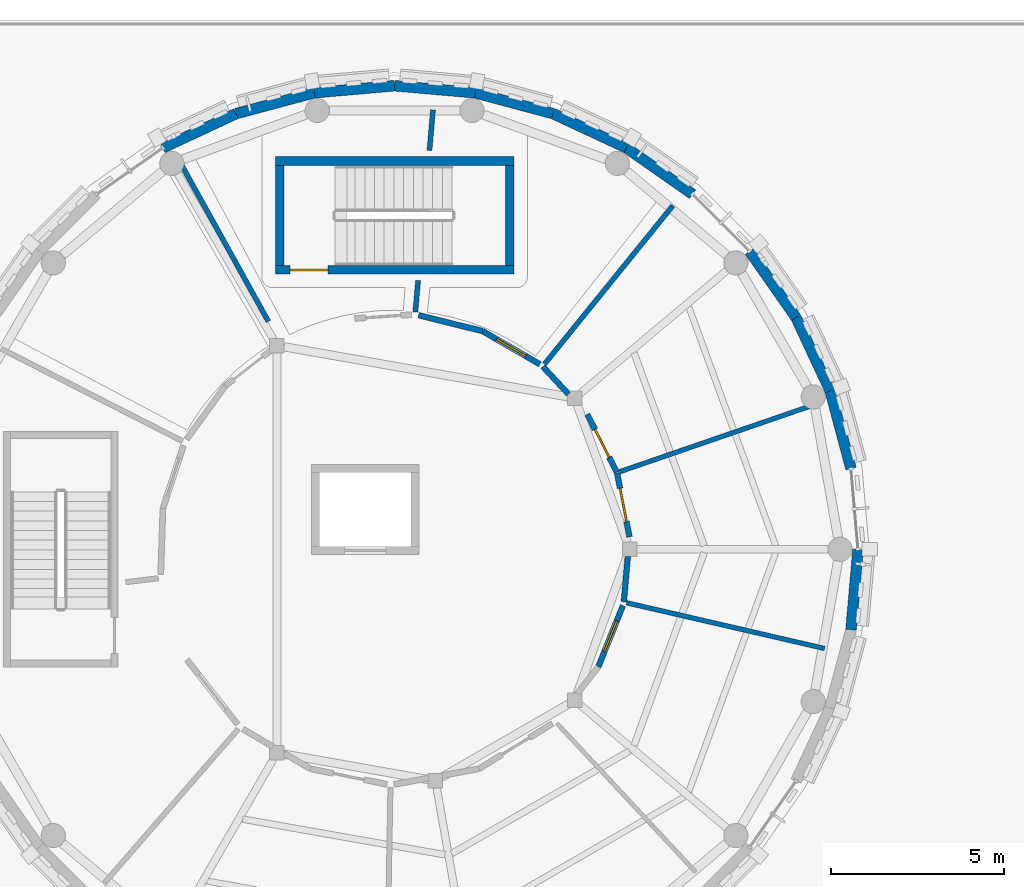
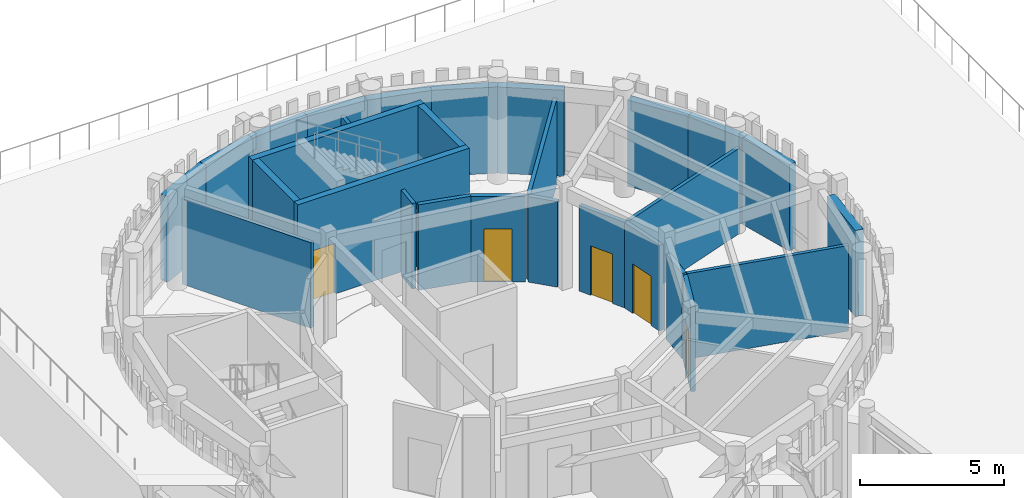
# One storey, part 52 of 94: 28 walls, 5 doors, 5 openings.
"""IFC4 building model written with IfcOpenShell, lengths in metres."""

from ifc_helpers import new_model, si_unit, direction, frame, frame_2d, origin, place, context, subcontext, project, spatial, rectangle, extrude, material, layer, layer_set, type_object, element, fill, save


model = new_model("IFC4")

# Units and contexts
model_context = context("Model", 3, precision=1e-05, world=origin(), true_north=direction((0.0, 1.0)))
body_context = subcontext(model_context, "Body", "Model", "MODEL_VIEW")
ifc_project = project(units=[si_unit("LENGTHUNIT", "METRE"), si_unit("AREAUNIT", "SQUARE_METRE"), si_unit("VOLUMEUNIT", "CUBIC_METRE"), si_unit("PLANEANGLEUNIT", "RADIAN"), si_unit("MASSUNIT", "GRAM", prefix="KILO")], contexts=[model_context])

# Site, building, storey
site_placement = place(None, origin())
site = spatial("IfcSite", under=ifc_project, at=site_placement, CompositionType="ELEMENT")
building_placement = place(site_placement, origin())
building = spatial("IfcBuilding", under=site, at=building_placement, Name="Aldenvaro Health Centre", CompositionType="ELEMENT")
storey_placement = place(building_placement, origin())
storey = spatial("IfcBuildingStorey", under=building, at=storey_placement, Name="L00", CompositionType="ELEMENT", Elevation=0.0)

# Walls
ifc_material_1 = material(Name="Gypsum Stud Acoustic Assembly")
ifc_layer_1 = layer(ifc_material_1, 0.14501953125, Name="Gypsum Stud Acoustic Assembly")
ifc_layer_set_1 = layer_set([ifc_layer_1], Name="Gypsum Stud Acoustic Assembly")
wall_type_1 = type_object("IfcWallType", Name="WL-CLN-145", PredefinedType="PARTITIONING", material=ifc_layer_set_1)
wall_1_placement = place(storey_placement, frame((22.83203125, 104.84912109375, 0.0), z_axis=(0.0, 0.0, 1.0), x_axis=(0.629307766645, 0.777156184328, 0.0)))
element("IfcWall", 1, at=wall_1_placement, inside=storey, type_object=wall_type_1, Name="D4 L00 clinical partition 1.1", PredefinedType="PARTITIONING", context=body_context, shape_type="SweptSolid", body=[
    extrude(rectangle(XDim=5.8984375, YDim=0.14501953125, at=frame_2d((2.94921875, 0.0))), origin(), (0.0, 0.0, 1.0), 3.634033203125),
])
wall_2_placement = place(storey_placement, frame((19.10009765625, 106.35693359375, 0.0), z_axis=(0.0, 0.0, 1.0), x_axis=(0.087100865176, 0.996199497734, 0.0)))
element("IfcWall", 2, at=wall_2_placement, inside=storey, type_object=wall_type_1, Name="D4 L00 clinical partition 2.1", PredefinedType="PARTITIONING", context=body_context, shape_type="SweptSolid", body=[
    extrude(rectangle(XDim=0.91650390625, YDim=0.14501953125, at=frame_2d((0.458251953125, 0.0))), origin(), (0.0, 0.0, 1.0), 3.634033203125),
])
wall_3_placement = place(storey_placement, frame((19.509033203125, 111.030029296875, 0.0), z_axis=(0.0, 0.0, 1.0), x_axis=(0.086755001059, 0.996229677229, 0.0)))
element("IfcWall", 3, at=wall_3_placement, inside=storey, type_object=wall_type_1, Name="D4 L00 clinical partition 2.2", PredefinedType="PARTITIONING", context=body_context, shape_type="SweptSolid", body=[
    extrude(rectangle(XDim=1.17626953125, YDim=0.14501953125, at=frame_2d((0.588134765625, 0.0))), origin(), (0.0, 0.0, 1.0), 3.634033203125),
])
wall_4_placement = place(storey_placement, frame((14.85009765625, 106.0849609375, 0.0), z_axis=(0.0, 0.0, 1.0), x_axis=(-0.484900868449, 0.874569121212, 0.0)))
element("IfcWall", 4, at=wall_4_placement, inside=storey, type_object=wall_type_1, Name="D4 L00 clinical partition 3.2", PredefinedType="PARTITIONING", context=body_context, shape_type="SweptSolid", body=[
    extrude(rectangle(XDim=5.2529296875, YDim=0.14501953125, at=frame_2d((2.62646484375, 0.0))), origin(), (0.0, 0.0, 1.0), 3.634033203125),
])

# Wall, opening, door
ifc_layer_2 = layer(ifc_material_1, 0.1650390625, Name="Gypsum Stud Acoustic Assembly")
ifc_layer_set_2 = layer_set([ifc_layer_2], Name="Gypsum Stud Acoustic Assembly")
wall_type_2 = type_object("IfcWallType", Name="WL-COR-165", PredefinedType="PARTITIONING", material=ifc_layer_set_2)
wall_5_placement = place(storey_placement, frame((22.700927734375, 104.846923828125, 0.0), z_axis=(0.0, 0.0, 1.0), x_axis=(-0.865303821038, 0.501247740442, 0.0)))
wall_5 = element("IfcWall", 5, at=wall_5_placement, inside=storey, type_object=wall_type_2, Name="D4 L00 corridor wall 01.1", PredefinedType="PARTITIONING", context=body_context, shape_type="SweptSolid", body=[
    extrude(rectangle(XDim=1.9111328125, YDim=0.1650390625, at=frame_2d((0.95556640625, 0.0))), origin(), (0.0, 0.0, 1.0), 3.634033203125),
])
opening_1_placement = place(wall_5_placement, frame((0.465087890625, 0.0, 0.0)))
opening_1 = element("IfcOpeningElement", 6, at=opening_1_placement, cuts=wall_5, Name="Opening D-10", PredefinedType="OPENING", context=body_context, shape_type="SweptSolid", body=[
    extrude(rectangle(XDim=0.97998046875, YDim=2.239990234375, at=frame_2d((0.489990234375, 1.1201171875))), frame((0.0, 0.092529296875, 0.0), z_axis=(0.0, -1.0, 0.0), x_axis=(1.0, 0.0, 0.0)), (0.0, 0.0, 1.0), 0.18505859375),
])
ifc_material_2 = material(Name="Tall Clinical Timber Door", Category="wood")
door_type_1 = type_object("IfcDoorType", Name="DR-CLN-10", OperationType="NOTDEFINED", PredefinedType="DOOR", material=ifc_material_2)
door_1_placement = place(opening_1_placement, origin())
door_1 = element("IfcDoor", 7, at=door_1_placement, inside=storey, type_object=door_type_1, Name="Primary Care Consulting Room 101 Door", OperationType="SINGLE_SWING_LEFT", OverallHeight=2.239990234375, OverallWidth=0.97998046875, PredefinedType="DOOR", context=body_context, shape_type="SweptSolid", body=[
    extrude(rectangle(XDim=0.97998046875, YDim=2.239990234375, at=frame_2d((0.489990234375, 1.1201171875))), frame((0.0, 0.02490234375, 0.0), z_axis=(0.0, -1.0, 0.0), x_axis=(1.0, 0.0, 0.0)), (0.0, 0.0, 1.0), 0.050048828125),
])
fill(opening_1, door_1)

# Wall
wall_6_placement = place(storey_placement, frame((21.047119140625, 105.804931640625, 0.0), z_axis=(0.0, 0.0, 1.0), x_axis=(-0.970576984383, 0.240791024306, 0.0)))
element("IfcWall", 8, at=wall_6_placement, inside=storey, type_object=wall_type_2, Name="D4 L00 corridor wall 01.2", PredefinedType="PARTITIONING", context=body_context, shape_type="SweptSolid", body=[
    extrude(rectangle(XDim=1.91015625, YDim=0.1650390625, at=frame_2d((0.955078125, 0.0))), origin(), (0.0, 0.0, 1.0), 3.634033203125),
])

# Wall, opening, door
wall_7_placement = place(storey_placement, frame((24.388916015625, 96.10009765625, 0.0), z_axis=(0.0, 0.0, 1.0), x_axis=(0.373351165524, 0.927690092219, 0.0)))
wall_7 = element("IfcWall", 9, at=wall_7_placement, inside=storey, type_object=wall_type_2, Name="D4 L00 corridor wall 08.2", PredefinedType="PARTITIONING", context=body_context, shape_type="SweptSolid", body=[
    extrude(rectangle(XDim=1.91015625, YDim=0.1650390625, at=frame_2d((0.955078125, 0.0))), origin(), (0.0, 0.0, 1.0), 3.634033203125),
])
opening_2_placement = place(wall_7_placement, frame((0.47998046875, 0.0, 0.0)))
opening_2 = element("IfcOpeningElement", 10, at=opening_2_placement, cuts=wall_7, Name="Opening UD-02", PredefinedType="OPENING", context=body_context, shape_type="SweptSolid", body=[
    extrude(rectangle(XDim=0.949951171875, YDim=2.159912109375, at=frame_2d((0.47509765625, 1.080078125))), frame((0.0, 0.092529296875, 0.0), z_axis=(0.0, -1.0, 0.0), x_axis=(1.0, 0.0, 0.0)), (0.0, 0.0, 1.0), 0.18505859375),
])
ifc_material_3 = material(Name="Sterile Core Supply Door")
door_type_2 = type_object("IfcDoorType", Name="DR-STR-02", OperationType="NOTDEFINED", PredefinedType="DOOR", material=ifc_material_3)
door_2_placement = place(opening_2_placement, origin())
door_2 = element("IfcDoor", 11, at=door_2_placement, inside=storey, type_object=door_type_2, Name="Clean Utility Room Door", OperationType="SINGLE_SWING_RIGHT", OverallHeight=2.159912109375, OverallWidth=0.949951171875, PredefinedType="DOOR", context=body_context, shape_type="SweptSolid", body=[
    extrude(rectangle(XDim=0.949951171875, YDim=2.159912109375, at=frame_2d((0.47509765625, 1.080078125))), frame((0.0, 0.02490234375, 0.0), z_axis=(0.0, -1.0, 0.0), x_axis=(1.0, 0.0, 0.0)), (0.0, 0.0, 1.0), 0.050048828125),
])
fill(opening_2, door_2)

# Wall
wall_8_placement = place(storey_placement, frame((25.1279296875, 97.97998046875, 0.0), z_axis=(0.0, 0.0, 1.0), x_axis=(0.086509710028, 0.996251007563, 0.0)))
element("IfcWall", 12, at=wall_8_placement, inside=storey, type_object=wall_type_2, Name="D4 L00 corridor wall 09.1", PredefinedType="PARTITIONING", context=body_context, shape_type="SweptSolid", body=[
    extrude(rectangle(XDim=1.31787109375, YDim=0.1650390625, at=frame_2d((0.658935546875, 0.0))), origin(), (0.0, 0.0, 1.0), 3.634033203125),
])

# Wall, opening, door
wall_9_placement = place(storey_placement, frame((25.291015625, 99.85595703125, 0.0), z_axis=(0.0, 0.0, 1.0), x_axis=(-0.19002996748, 0.981778290379, 0.0)))
wall_9 = element("IfcWall", 13, at=wall_9_placement, inside=storey, type_object=wall_type_2, Name="D4 L00 corridor wall 09.2", PredefinedType="PARTITIONING", context=body_context, shape_type="SweptSolid", body=[
    extrude(rectangle(XDim=1.883544921875, YDim=0.1650390625, at=frame_2d((0.94189453125, 0.0))), origin(), (0.0, 0.0, 1.0), 3.634033203125),
])
opening_3_placement = place(wall_9_placement, frame((0.451904296875, 0.0, 0.0)))
opening_3 = element("IfcOpeningElement", 14, at=opening_3_placement, cuts=wall_9, Name="Opening WD-03", PredefinedType="OPENING", context=body_context, shape_type="SweptSolid", body=[
    extrude(rectangle(XDim=0.97998046875, YDim=2.10009765625, at=frame_2d((0.489990234375, 1.050048828125))), frame((0.0, 0.092529296875, 0.0), z_axis=(0.0, -1.0, 0.0), x_axis=(1.0, 0.0, 0.0)), (0.0, 0.0, 1.0), 0.18505859375),
])
ifc_material_4 = material(Name="Bariatric Accessible Sanitary Door")
door_type_3 = type_object("IfcDoorType", Name="DR-WC-03", OperationType="NOTDEFINED", PredefinedType="DOOR", material=ifc_material_4)
door_3_placement = place(opening_3_placement, origin())
door_3 = element("IfcDoor", 15, at=door_3_placement, inside=storey, type_object=door_type_3, Name="Male Patient WC Door", OperationType="SINGLE_SWING_LEFT", OverallHeight=2.10009765625, OverallWidth=0.97998046875, PredefinedType="DOOR", context=body_context, shape_type="SweptSolid", body=[
    extrude(rectangle(XDim=0.97998046875, YDim=2.10009765625, at=frame_2d((0.489990234375, 1.050048828125))), frame((0.0, 0.02490234375, 0.0), z_axis=(0.0, -1.0, 0.0), x_axis=(1.0, 0.0, 0.0)), (0.0, 0.0, 1.0), 0.050048828125),
])
fill(opening_3, door_3)

wall_10_placement = place(storey_placement, frame((24.926025390625, 101.722900390625, 0.0), z_axis=(0.0, 0.0, 1.0), x_axis=(-0.454615215632, 0.890687939582, 0.0)))
wall_10 = element("IfcWall", 16, at=wall_10_placement, inside=storey, type_object=wall_type_2, Name="D4 L00 corridor wall 10.1", PredefinedType="PARTITIONING", context=body_context, shape_type="SweptSolid", body=[
    extrude(rectangle(XDim=1.8828125, YDim=0.1650390625, at=frame_2d((0.94140625, 0.0))), origin(), (0.0, 0.0, 1.0), 3.634033203125),
])
opening_4_placement = place(wall_10_placement, frame((0.491943359375, 0.0, 0.0)))
opening_4 = element("IfcOpeningElement", 17, at=opening_4_placement, cuts=wall_10, Name="Opening WD-01", PredefinedType="OPENING", context=body_context, shape_type="SweptSolid", body=[
    extrude(rectangle(XDim=0.89990234375, YDim=2.10009765625, at=frame_2d((0.449951171875, 1.050048828125))), frame((0.0, 0.092529296875, 0.0), z_axis=(0.0, -1.0, 0.0), x_axis=(1.0, 0.0, 0.0)), (0.0, 0.0, 1.0), 0.18505859375),
])
ifc_material_5 = material(Name="Moisture-Resistant Laminate Door")
door_type_4 = type_object("IfcDoorType", Name="DR-WC-01", OperationType="NOTDEFINED", PredefinedType="DOOR", material=ifc_material_5)
door_4_placement = place(opening_4_placement, origin())
door_4 = element("IfcDoor", 18, at=door_4_placement, inside=storey, type_object=door_type_4, Name="Female Patient WC Door", OperationType="SINGLE_SWING_RIGHT", OverallHeight=2.10009765625, OverallWidth=0.89990234375, PredefinedType="DOOR", context=body_context, shape_type="SweptSolid", body=[
    extrude(rectangle(XDim=0.89990234375, YDim=2.10009765625, at=frame_2d((0.449951171875, 1.050048828125))), frame((0.0, 0.02490234375, 0.0), z_axis=(0.0, -1.0, 0.0), x_axis=(1.0, 0.0, 0.0)), (0.0, 0.0, 1.0), 0.050048828125),
])
fill(opening_4, door_4)

# Walls
wall_11_placement = place(storey_placement, frame((23.527099609375, 103.98388671875, 0.0), z_axis=(0.0, 0.0, 1.0), x_axis=(-0.681252444474, 0.732048568674, 0.0)))
element("IfcWall", 19, at=wall_11_placement, inside=storey, type_object=wall_type_2, Name="D4 L00 corridor wall 10.2", PredefinedType="PARTITIONING", context=body_context, shape_type="SweptSolid", body=[
    extrude(rectangle(XDim=1.086181640625, YDim=0.1650390625, at=frame_2d((0.54296875, 0.0))), origin(), (0.0, 0.0, 1.0), 3.634033203125),
])
ifc_material_6 = material(Name="Concrete f'c 35 MPa", Category="concrete")
ifc_layer_3 = layer(ifc_material_6, 0.31005859375, Name="Concrete f'c 35 MPa", Category="concrete")
ifc_layer_set_3 = layer_set([ifc_layer_3], Name="Concrete f'c 35 MPa")
wall_type_3 = type_object("IfcWallType", Name="WL-EXT-310", PredefinedType="SOLIDWALL", material=ifc_layer_set_3)
wall_12_placement = place(storey_placement, frame((31.89990234375, 99.5, 0.0), z_axis=(0.0, 0.0, 1.0), x_axis=(-0.087274565792, -0.996184295282, 0.0)))
element("IfcWall", 20, at=wall_12_placement, inside=storey, type_object=wall_type_3, Name="D4 L00 exterior wall 01", PredefinedType="SOLIDWALL", context=body_context, shape_type="SweptSolid", body=[
    extrude(rectangle(XDim=2.3359375, YDim=0.31005859375, at=frame_2d((1.16796875, 0.0))), origin(), (0.0, 0.0, 1.0), 3.658935546875),
])
wall_13_placement = place(storey_placement, frame((11.800048828125, 111.10498046875, 0.0), z_axis=(0.0, 0.0, 1.0), x_axis=(0.906321946979, 0.422587894318, 0.0)))
element("IfcWall", 21, at=wall_13_placement, inside=storey, type_object=wall_type_3, Name="D4 L00 exterior wall 25", PredefinedType="SOLIDWALL", context=body_context, shape_type="SweptSolid", body=[
    extrude(rectangle(XDim=2.335693359375, YDim=0.31005859375, at=frame_2d((1.16796875, 0.0))), origin(), (0.0, 0.0, 1.0), 3.658935546875),
])
wall_14_placement = place(storey_placement, frame((13.9169921875, 112.092041015625, 0.0), z_axis=(0.0, 0.0, 1.0), x_axis=(0.965981166673, 0.258612423585, 0.0)))
element("IfcWall", 22, at=wall_14_placement, inside=storey, type_object=wall_type_3, Name="D4 L00 exterior wall 26", PredefinedType="SOLIDWALL", context=body_context, shape_type="SweptSolid", body=[
    extrude(rectangle(XDim=2.33544921875, YDim=0.31005859375, at=frame_2d((1.167724609375, 0.0))), origin(), (0.0, 0.0, 1.0), 3.658935546875),
])
for number, where, z_axis, x_axis, name in (
    (23, (16.173095703125, 112.696044921875, 0.0), (0.0, 0.0, 1.0), (0.996184295282, 0.087274565792, 0.0), "D4 L00 exterior wall 27"),
    (24, (18.5, 112.89990234375, 0.0), (0.0, 0.0, 1.0), (0.996184295282, -0.087274565792, 0.0), "D4 L00 exterior wall 28"),
):
    element("IfcWall", number, at=place(storey_placement, frame(where, z_axis=z_axis, x_axis=x_axis)), inside=storey, type_object=wall_type_3, Name=name, PredefinedType="SOLIDWALL", context=body_context, shape_type="SweptSolid", body=[
        extrude(rectangle(XDim=2.3359375, YDim=0.31005859375, at=frame_2d((1.16796875, 0.0))), origin(), (0.0, 0.0, 1.0), 3.658935546875),
    ])
wall_15_placement = place(storey_placement, frame((20.826904296875, 112.696044921875, 0.0), z_axis=(0.0, 0.0, 1.0), x_axis=(0.965981166673, -0.258612423585, 0.0)))
element("IfcWall", 25, at=wall_15_placement, inside=storey, type_object=wall_type_3, Name="D4 L00 exterior wall 29", PredefinedType="SOLIDWALL", context=body_context, shape_type="SweptSolid", body=[
    extrude(rectangle(XDim=2.33544921875, YDim=0.31005859375, at=frame_2d((1.167724609375, 0.0))), origin(), (0.0, 0.0, 1.0), 3.658935546875),
])
for number, where, z_axis, x_axis, name in (
    (26, (23.0830078125, 112.092041015625, 0.0), (0.0, 0.0, 1.0), (0.906321946979, -0.422587894318, 0.0), "D4 L00 exterior wall 30"),
    (27, (25.199951171875, 111.10498046875, 0.0), (0.0, 0.0, 1.0), (0.819045278347, -0.573728883722, 0.0), "D4 L00 exterior wall 31"),
    (28, (28.764892578125, 108.113037109375, 0.0), (0.0, 0.0, 1.0), (0.573728883722, -0.819045278347, 0.0), "D4 L00 exterior wall 33"),
    (29, (30.10498046875, 106.199951171875, 0.0), (0.0, 0.0, 1.0), (0.422587894318, -0.906321946979, 0.0), "D4 L00 exterior wall 34"),
):
    element("IfcWall", number, at=place(storey_placement, frame(where, z_axis=z_axis, x_axis=x_axis)), inside=storey, type_object=wall_type_3, Name=name, PredefinedType="SOLIDWALL", context=body_context, shape_type="SweptSolid", body=[
        extrude(rectangle(XDim=2.335693359375, YDim=0.31005859375, at=frame_2d((1.16796875, 0.0))), origin(), (0.0, 0.0, 1.0), 3.658935546875),
    ])
wall_16_placement = place(storey_placement, frame((31.092041015625, 104.0830078125, 0.0), z_axis=(0.0, 0.0, 1.0), x_axis=(0.258612423585, -0.965981166673, 0.0)))
element("IfcWall", 30, at=wall_16_placement, inside=storey, type_object=wall_type_3, Name="D4 L00 exterior wall 35", PredefinedType="SOLIDWALL", context=body_context, shape_type="SweptSolid", body=[
    extrude(rectangle(XDim=2.33544921875, YDim=0.31005859375, at=frame_2d((1.167724609375, 0.0))), origin(), (0.0, 0.0, 1.0), 3.658935546875),
])

# Wall, opening, door
ifc_material_7 = material(Name="Concrete f'c 40 MPa", Category="concrete")
ifc_layer_4 = layer(ifc_material_7, 0.25, Name="Concrete f'c 40 MPa", Category="concrete")
ifc_layer_set_4 = layer_set([ifc_layer_4], Name="Concrete f'c 40 MPa")
wall_type_4 = type_object("IfcWallType", Name="WL-SHAFT-250", PredefinedType="SHEAR", material=ifc_layer_set_4)
wall_17_placement = place(storey_placement, frame((15.050048828125, 107.574951171875, 0.0), z_axis=(0.0, 0.0, 1.0), x_axis=(1.0, 0.0, 0.0)))
wall_17 = element("IfcWall", 31, at=wall_17_placement, inside=storey, type_object=wall_type_4, Name="ST-07 L00 inner core wall", PredefinedType="SHEAR", context=body_context, shape_type="SweptSolid", body=[
    extrude(rectangle(XDim=6.89990234375, YDim=0.25, at=frame_2d((3.449951171875, 0.0))), origin(), (0.0, 0.0, 1.0), 4.304931640625),
])
opening_5_placement = place(wall_17_placement, frame((0.429931640625, 0.0, 0.0)))
opening_5 = element("IfcOpeningElement", 32, at=opening_5_placement, cuts=wall_17, Name="Opening FD-01", PredefinedType="OPENING", context=body_context, shape_type="SweptSolid", body=[
    extrude(rectangle(XDim=1.10009765625, YDim=2.14990234375, at=frame_2d((0.550048828125, 1.074951171875))), frame((0.0, 0.135009765625, 0.0), z_axis=(0.0, -1.0, 0.0), x_axis=(1.0, 0.0, 0.0)), (0.0, 0.0, 1.0), 0.27001953125),
])
ifc_material_8 = material(Name="Fire-Rated Steel Door Assembly", Category="steel")
door_type_5 = type_object("IfcDoorType", Name="DR-STAIR-110", OperationType="NOTDEFINED", PredefinedType="DOOR", material=ifc_material_8)
door_5_placement = place(opening_5_placement, origin())
door_5 = element("IfcDoor", 33, at=door_5_placement, inside=storey, type_object=door_type_5, Name="ST-07 L00 fire stair door", OperationType="SINGLE_SWING_RIGHT", OverallHeight=2.14990234375, OverallWidth=1.10009765625, PredefinedType="DOOR", context=body_context, shape_type="SweptSolid", body=[
    extrude(rectangle(XDim=1.10009765625, YDim=2.14990234375, at=frame_2d((0.550048828125, 1.074951171875))), frame((0.0, 0.02490234375, 0.0), z_axis=(0.0, -1.0, 0.0), x_axis=(1.0, 0.0, 0.0)), (0.0, 0.0, 1.0), 0.050048828125),
])
fill(opening_5, door_5)

# Walls
wall_18_placement = place(storey_placement, frame((15.050048828125, 110.72509765625, 0.0), z_axis=(0.0, 0.0, 1.0), x_axis=(1.0, 0.0, 0.0)))
element("IfcWall", 34, at=wall_18_placement, inside=storey, type_object=wall_type_4, Name="ST-07 L00 far core wall", PredefinedType="SHEAR", context=body_context, shape_type="SweptSolid", body=[
    extrude(rectangle(XDim=6.89990234375, YDim=0.25, at=frame_2d((3.449951171875, 0.0))), origin(), (0.0, 0.0, 1.0), 4.304931640625),
])
for number, where, z_axis, x_axis, name in (
    (35, (15.175048828125, 107.699951171875, 0.0), (0.0, 0.0, 1.0), (0.0, 1.0, 0.0), "ST-07 L00 side core wall L"),
    (36, (21.824951171875, 107.699951171875, 0.0), (0.0, 0.0, 1.0), (0.0, 1.0, 0.0), "ST-07 L00 side core wall R"),
):
    element("IfcWall", number, at=place(storey_placement, frame(where, z_axis=z_axis, x_axis=x_axis)), inside=storey, type_object=wall_type_4, Name=name, PredefinedType="SHEAR", context=body_context, shape_type="SweptSolid", body=[
        extrude(rectangle(XDim=2.900146484375, YDim=0.25, at=frame_2d((1.4501953125, 0.0))), origin(), (0.0, 0.0, 1.0), 4.304931640625),
    ])
ifc_material_9 = material(Name="Moisture-Resistant Plumbing Stud Wall")
ifc_layer_5 = layer(ifc_material_9, 0.135009765625, Name="Moisture-Resistant Plumbing Stud Wall")
ifc_layer_set_5 = layer_set([ifc_layer_5], Name="Moisture-Resistant Plumbing Stud Wall")
wall_type_5 = type_object("IfcWallType", Name="WL-WET-135", PredefinedType="PLUMBINGWALL", material=ifc_layer_set_5)
wall_19_placement = place(storey_placement, frame((25.20703125, 97.951904296875, 0.0), z_axis=(0.0, 0.0, 1.0), x_axis=(0.97434915279, -0.225041614944, 0.0)))
element("IfcWall", 37, at=wall_19_placement, inside=storey, type_object=wall_type_5, Name="D4 L00 clinical partition 9.1", PredefinedType="PLUMBINGWALL", context=body_context, shape_type="SweptSolid", body=[
    extrude(rectangle(XDim=5.87451171875, YDim=0.135009765625, at=frame_2d((2.937255859375, 0.0))), origin(), (0.0, 0.0, 1.0), 3.634033203125),
])
wall_20_placement = place(storey_placement, frame((25.008056640625, 101.740966796875, 0.0), z_axis=(0.0, 0.0, 1.0), x_axis=(0.945537377012, 0.325513546068, 0.0)))
element("IfcWall", 38, at=wall_20_placement, inside=storey, type_object=wall_type_5, Name="D4 L00 clinical partition 10.1", PredefinedType="PLUMBINGWALL", context=body_context, shape_type="SweptSolid", body=[
    extrude(rectangle(XDim=5.898193359375, YDim=0.135009765625, at=frame_2d((2.94921875, 0.0))), origin(), (0.0, 0.0, 1.0), 3.634033203125),
])

save(model, "model.ifc")
